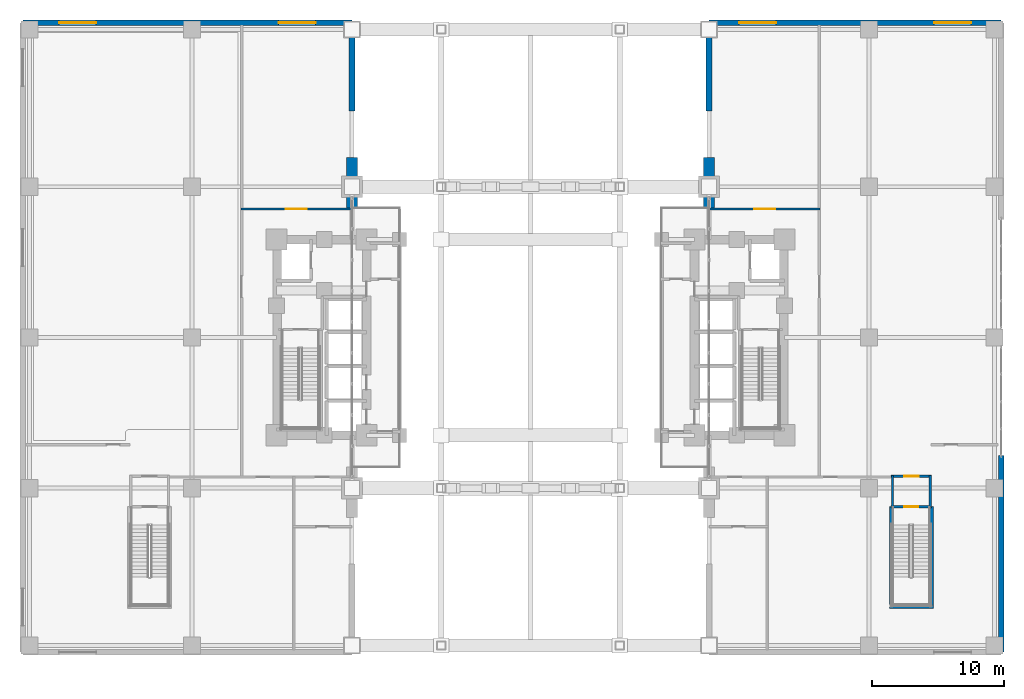
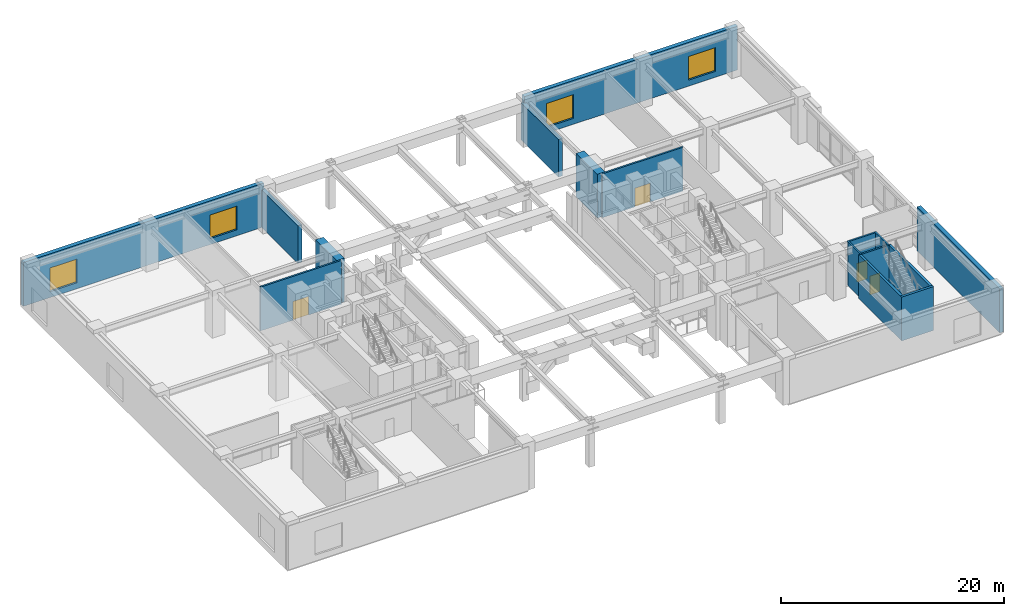
# One storey, part 20 of 26: 16 walls, 4 doors, 4 windows, 8 openings.
"""IFC4 building model written with IfcOpenShell, lengths in metres."""

from ifc_helpers import new_model, si_unit, direction, frame, frame_2d, origin, place, context, subcontext, project, spatial, rectangle, extrude, material, layer, layer_set, type_object, element, fill, save


model = new_model("IFC4")

# Units and contexts
model_context = context("Model", 3, precision=1e-05, world=origin(), true_north=direction((0.0, 1.0)))
body_context = subcontext(model_context, "Body", "Model", "MODEL_VIEW")
ifc_project = project(units=[si_unit("LENGTHUNIT", "METRE"), si_unit("AREAUNIT", "SQUARE_METRE"), si_unit("VOLUMEUNIT", "CUBIC_METRE"), si_unit("PLANEANGLEUNIT", "RADIAN"), si_unit("MASSUNIT", "GRAM", prefix="KILO")], contexts=[model_context])

# Site, building, storey
site_placement = place(None, origin())
site = spatial("IfcSite", under=ifc_project, at=site_placement, CompositionType="ELEMENT")
building_placement = place(site_placement, origin())
building = spatial("IfcBuilding", under=site, at=building_placement, Name="Voryun Gate Residences", CompositionType="ELEMENT")
storey_placement = place(building_placement, frame((0.0, 0.0, 15.60009765625)))
storey = spatial("IfcBuildingStorey", under=building, at=storey_placement, Name="L03", CompositionType="ELEMENT", Elevation=15.60009765625)

# Walls
ifc_material_1 = material(Name="Concrete C60/75", Category="concrete")
ifc_layer_1 = layer(ifc_material_1, 0.800048828125, Name="W_ARCH_PIER_800")
ifc_layer_set_1 = layer_set([ifc_layer_1], Name="Concrete C60/75")
wall_type_1 = type_object("IfcWallType", Name="W_ARCH_PIER_800", PredefinedType="SOLIDWALL", material=ifc_layer_set_1)
for number, where, z_axis, x_axis, name in (
    (1, (-13.5, 9.800048828125, 0.0), (0.0, 0.0, 1.0), (0.0, 1.0, 0.0), "L03 Parabolic arch pier wall WN"),
    (2, (13.5, 9.800048828125, 0.0), (0.0, 0.0, 1.0), (0.0, 1.0, 0.0), "L03 Parabolic arch pier wall EN"),
):
    element("IfcWall", number, at=place(storey_placement, frame(where, z_axis=z_axis, x_axis=x_axis)), inside=storey, type_object=wall_type_1, Name=name, PredefinedType="SOLIDWALL", context=body_context, shape_type="SweptSolid", body=[
        extrude(rectangle(XDim=3.800048828125, YDim=0.800048828125, at=frame_2d((1.89990234375, 0.0))), origin(), (0.0, 0.0, 1.0), 4.7998046875),
    ])
ifc_material_2 = material(Name="Gypsum acoustic fireboard")
ifc_layer_2 = layer(ifc_material_2, 0.179931640625, Name="W_CORR_RATED_180")
ifc_layer_set_2 = layer_set([ifc_layer_2], Name="Gypsum acoustic fireboard")
wall_type_2 = type_object("IfcWallType", Name="W_CORR_RATED_180", PredefinedType="PARTITIONING", material=ifc_layer_set_2)
for number, where, z_axis, x_axis, name in (
    (3, (27.3798828125, -12.800048828125, 0.0), (0.0, 0.0, 1.0), (0.0, 1.0, 0.0), "Partition wall WP-L03-ST-P2-VW"),
    (4, (30.219970703125, -12.800048828125, 0.0), (0.0, 0.0, 1.0), (0.0, 1.0, 0.0), "Partition wall WP-L03-ST-P2-VE"),
):
    element("IfcWall", number, at=place(storey_placement, frame(where, z_axis=z_axis, x_axis=x_axis)), inside=storey, type_object=wall_type_2, Name=name, PredefinedType="PARTITIONING", context=body_context, shape_type="SweptSolid", body=[
        extrude(rectangle(XDim=2.35009765625, YDim=0.179931640625, at=frame_2d((1.175048828125, 0.0))), origin(), (0.0, 0.0, 1.0), 4.7998046875),
    ])

# Wall, opening, door
wall_1_placement = place(storey_placement, frame((27.280029296875, -12.800048828125, 0.0), z_axis=(0.0, 0.0, 1.0), x_axis=(1.0, 0.0, 0.0)))
wall_1 = element("IfcWall", 5, at=wall_1_placement, inside=storey, type_object=wall_type_2, Name="Partition wall WP-L03-ST-P2-MID", PredefinedType="PARTITIONING", context=body_context, shape_type="SweptSolid", body=[
    extrude(rectangle(XDim=3.0400390625, YDim=0.179931640625, at=frame_2d((1.52001953125, 0.0))), origin(), (0.0, 0.0, 1.0), 4.7998046875),
])
opening_1_placement = place(wall_1_placement, frame((0.9951171875, 0.0, 0.0)))
opening_1 = element("IfcOpeningElement", 6, at=opening_1_placement, cuts=wall_1, Name="Opening D-FD60-1", PredefinedType="OPENING", context=body_context, shape_type="SweptSolid", body=[
    extrude(rectangle(XDim=1.050048828125, YDim=2.050048828125, at=frame_2d((0.52490234375, 1.02490234375))), frame((0.0, 0.099853515625, 0.0), z_axis=(0.0, -1.0, 0.0), x_axis=(1.0, 0.0, 0.0)), (0.0, 0.0, 1.0), 0.199951171875),
])
ifc_material_3 = material(Name="Painted steel fire door", Category="steel")
door_type_1 = type_object("IfcDoorType", Name="DR_FD60_STAIR_1050", OperationType="NOTDEFINED", PredefinedType="DOOR", material=ifc_material_3)
door_1_placement = place(opening_1_placement, origin())
door_1 = element("IfcDoor", 7, at=door_1_placement, inside=storey, type_object=door_type_1, Name="Door DR-L03-ST-P2-IN", OperationType="SINGLE_SWING_LEFT", OverallHeight=2.050048828125, OverallWidth=1.050048828125, PredefinedType="DOOR", context=body_context, shape_type="SweptSolid", body=[
    extrude(rectangle(XDim=1.050048828125, YDim=2.050048828125, at=frame_2d((0.52490234375, 1.02490234375))), frame((0.0, 0.02490234375, 0.0), z_axis=(0.0, -1.0, 0.0), x_axis=(1.0, 0.0, 0.0)), (0.0, 0.0, 1.0), 0.050048828125),
])
fill(opening_1, door_1)

wall_2_placement = place(storey_placement, frame((27.280029296875, -10.5, 0.0), z_axis=(0.0, 0.0, 1.0), x_axis=(1.0, 0.0, 0.0)))
wall_2 = element("IfcWall", 8, at=wall_2_placement, inside=storey, type_object=wall_type_2, Name="Partition wall WP-L03-ST-P2-N", PredefinedType="PARTITIONING", context=body_context, shape_type="SweptSolid", body=[
    extrude(rectangle(XDim=3.0400390625, YDim=0.179931640625, at=frame_2d((1.52001953125, 0.0))), origin(), (0.0, 0.0, 1.0), 4.7998046875),
])
opening_2_placement = place(wall_2_placement, frame((0.969970703125, 0.0, 0.0)))
opening_2 = element("IfcOpeningElement", 9, at=opening_2_placement, cuts=wall_2, Name="Opening D-FD60-2", PredefinedType="OPENING", context=body_context, shape_type="SweptSolid", body=[
    extrude(rectangle(XDim=1.10009765625, YDim=2.050048828125, at=frame_2d((0.550048828125, 1.02490234375))), frame((0.0, 0.099853515625, 0.0), z_axis=(0.0, -1.0, 0.0), x_axis=(1.0, 0.0, 0.0)), (0.0, 0.0, 1.0), 0.199951171875),
])
ifc_material_4 = material(Name="Painted steel fire door", Category="steel")
door_type_2 = type_object("IfcDoorType", Name="DR_FD60_FFLOB_1100", OperationType="NOTDEFINED", PredefinedType="DOOR", material=ifc_material_4)
door_2_placement = place(opening_2_placement, origin())
door_2 = element("IfcDoor", 10, at=door_2_placement, inside=storey, type_object=door_type_2, Name="Door DR-L03-ST-P2-OUT", OperationType="SINGLE_SWING_RIGHT", OverallHeight=2.050048828125, OverallWidth=1.10009765625, PredefinedType="DOOR", context=body_context, shape_type="SweptSolid", body=[
    extrude(rectangle(XDim=1.10009765625, YDim=2.050048828125, at=frame_2d((0.550048828125, 1.02490234375))), frame((0.0, 0.02490234375, 0.0), z_axis=(0.0, -1.0, 0.0), x_axis=(1.0, 0.0, 0.0)), (0.0, 0.0, 1.0), 0.050048828125),
])
fill(opening_2, door_2)

wall_3_placement = place(storey_placement, frame((-21.89990234375, 9.719970703125, 0.0), z_axis=(0.0, 0.0, 1.0), x_axis=(1.0, 0.0, 0.0)))
wall_3 = element("IfcWall", 11, at=wall_3_placement, inside=storey, type_object=wall_type_2, Name="Partition wall WP-L03-WCN1", PredefinedType="PARTITIONING", context=body_context, shape_type="SweptSolid", body=[
    extrude(rectangle(XDim=8.3798828125, YDim=0.179931640625, at=frame_2d((4.18994140625, 0.0))), origin(), (0.0, 0.0, 1.0), 4.7998046875),
])
opening_3_placement = place(wall_3_placement, frame((3.389892578125, 0.0, 0.0)))
opening_3 = element("IfcOpeningElement", 12, at=opening_3_placement, cuts=wall_3, Name="Opening D-FD30-1", PredefinedType="OPENING", context=body_context, shape_type="SweptSolid", body=[
    extrude(rectangle(XDim=1.60009765625, YDim=2.050048828125, at=frame_2d((0.800048828125, 1.02490234375))), frame((0.0, 0.099853515625, 0.0), z_axis=(0.0, -1.0, 0.0), x_axis=(1.0, 0.0, 0.0)), (0.0, 0.0, 1.0), 0.199951171875),
])
ifc_material_5 = material(Name="Glazed aluminium fire door", Category="aluminium")
door_type_3 = type_object("IfcDoorType", Name="DR_CORR_SMOKE_1600", OperationType="NOTDEFINED", PredefinedType="DOOR", material=ifc_material_5)
door_3_placement = place(opening_3_placement, origin())
door_3 = element("IfcDoor", 13, at=door_3_placement, inside=storey, type_object=door_type_3, Name="Door DR-L03-WD3", OperationType="DOUBLE_DOOR_SINGLE_SWING", OverallHeight=2.050048828125, OverallWidth=1.60009765625, PredefinedType="DOOR", context=body_context, shape_type="SweptSolid", body=[
    extrude(rectangle(XDim=1.60009765625, YDim=2.050048828125, at=frame_2d((0.800048828125, 1.02490234375))), frame((0.0, 0.02490234375, 0.0), z_axis=(0.0, -1.0, 0.0), x_axis=(1.0, 0.0, 0.0)), (0.0, 0.0, 1.0), 0.050048828125),
])
fill(opening_3, door_3)

wall_4_placement = place(storey_placement, frame((13.52001953125, 9.719970703125, 0.0), z_axis=(0.0, 0.0, 1.0), x_axis=(1.0, 0.0, 0.0)))
wall_4 = element("IfcWall", 14, at=wall_4_placement, inside=storey, type_object=wall_type_2, Name="Partition wall WP-L03-ECN1", PredefinedType="PARTITIONING", context=body_context, shape_type="SweptSolid", body=[
    extrude(rectangle(XDim=8.3798828125, YDim=0.179931640625, at=frame_2d((4.18994140625, 0.0))), origin(), (0.0, 0.0, 1.0), 4.7998046875),
])
opening_4_placement = place(wall_4_placement, frame((3.389892578125, 0.0, 0.0)))
opening_4 = element("IfcOpeningElement", 15, at=opening_4_placement, cuts=wall_4, Name="Opening D-FD30-1", PredefinedType="OPENING", context=body_context, shape_type="SweptSolid", body=[
    extrude(rectangle(XDim=1.60009765625, YDim=2.050048828125, at=frame_2d((0.800048828125, 1.02490234375))), frame((0.0, 0.099853515625, 0.0), z_axis=(0.0, -1.0, 0.0), x_axis=(1.0, 0.0, 0.0)), (0.0, 0.0, 1.0), 0.199951171875),
])
door_4_placement = place(opening_4_placement, origin())
door_4 = element("IfcDoor", 16, at=door_4_placement, inside=storey, type_object=door_type_3, Name="Door DR-L03-ED2", OperationType="DOUBLE_DOOR_SINGLE_SWING", OverallHeight=2.050048828125, OverallWidth=1.60009765625, PredefinedType="DOOR", context=body_context, shape_type="SweptSolid", body=[
    extrude(rectangle(XDim=1.60009765625, YDim=2.050048828125, at=frame_2d((0.800048828125, 1.02490234375))), frame((0.0, 0.02490234375, 0.0), z_axis=(0.0, -1.0, 0.0), x_axis=(1.0, 0.0, 0.0)), (0.0, 0.0, 1.0), 0.050048828125),
])
fill(opening_4, door_4)

# Wall
ifc_material_6 = material(Name="Granite masonry", Category="masonry")
ifc_layer_3 = layer(ifc_material_6, 0.419921875, Name="W_EXT_PODIUM_420")
ifc_layer_set_3 = layer_set([ifc_layer_3], Name="Granite masonry")
wall_type_3 = type_object("IfcWallType", Name="W_EXT_PODIUM_420", PredefinedType="ELEMENTEDWALL", material=ifc_layer_set_3)
wall_5_placement = place(storey_placement, frame((-13.5, 17.1201171875, 0.0), z_axis=(0.0, 0.0, 1.0), x_axis=(0.0, 1.0, 0.0)))
element("IfcWall", 17, at=wall_5_placement, inside=storey, type_object=wall_type_3, Name="Exterior wall WEP-L03-WP-2B", PredefinedType="ELEMENTEDWALL", context=body_context, shape_type="SweptSolid", body=[
    extrude(rectangle(XDim=6.679931640625, YDim=0.419921875, at=frame_2d((3.33984375, 0.0))), origin(), (0.0, 0.0, 1.0), 4.08984375),
])

# Wall, openings, windows
wall_6_placement = place(storey_placement, frame((-13.5, 23.800048828125, 0.0), z_axis=(0.0, 0.0, 1.0), x_axis=(-1.0, 0.0, 0.0)))
wall_6 = element("IfcWall", 18, at=wall_6_placement, inside=storey, type_object=wall_type_3, Name="Exterior wall WEP-L03-WP-3", PredefinedType="ELEMENTEDWALL", context=body_context, shape_type="SweptSolid", body=[
    extrude(rectangle(XDim=24.89990234375, YDim=0.419921875, at=frame_2d((12.449951171875, 0.0))), origin(), (0.0, 0.0, 1.0), 4.7998046875),
])
opening_5_placement = place(wall_6_placement, frame((2.75, 0.0, 0.64990234375)))
opening_5 = element("IfcOpeningElement", 19, at=opening_5_placement, cuts=wall_6, Name="Opening WN5", PredefinedType="OPENING", context=body_context, shape_type="SweptSolid", body=[
    extrude(rectangle(XDim=2.800048828125, YDim=2.60009765625, at=frame_2d((1.39990234375, 1.300048828125))), frame((0.0, 0.219970703125, 0.0), z_axis=(0.0, -1.0, 0.0), x_axis=(1.0, 0.0, 0.0)), (0.0, 0.0, 1.0), 0.43994140625),
])
opening_6_placement = place(wall_6_placement, frame((19.35009765625, 0.0, 0.64990234375)))
opening_6 = element("IfcOpeningElement", 20, at=opening_6_placement, cuts=wall_6, Name="Opening WN5", PredefinedType="OPENING", context=body_context, shape_type="SweptSolid", body=[
    extrude(rectangle(XDim=2.800048828125, YDim=2.60009765625, at=frame_2d((1.39990234375, 1.300048828125))), frame((0.0, 0.219970703125, 0.0), z_axis=(0.0, -1.0, 0.0), x_axis=(1.0, 0.0, 0.0)), (0.0, 0.0, 1.0), 0.43994140625),
])
ifc_material_7 = material(Name="Laminated low-E glass", Category="glass")
window_type = type_object("IfcWindowType", Name="WN_POD_GALLERY_2800", PartitioningType="SINGLE_PANEL", PredefinedType="WINDOW", material=ifc_material_7)
window_1_placement = place(opening_5_placement, origin())
window_1 = element("IfcWindow", 21, at=window_1_placement, inside=storey, type_object=window_type, Name="Window WN-L03-WP-3-01", OverallHeight=2.60009765625, OverallWidth=2.800048828125, PartitioningType="SINGLE_PANEL", PredefinedType="WINDOW", context=body_context, shape_type="SweptSolid", body=[
    extrude(rectangle(XDim=2.800048828125, YDim=2.60009765625, at=frame_2d((1.39990234375, 1.300048828125))), frame((0.0, 0.030029296875, 0.0), z_axis=(0.0, -1.0, 0.0), x_axis=(1.0, 0.0, 0.0)), (0.0, 0.0, 1.0), 0.06005859375),
])
fill(opening_5, window_1)
window_2_placement = place(opening_6_placement, origin())
window_2 = element("IfcWindow", 22, at=window_2_placement, inside=storey, type_object=window_type, Name="Window WN-L03-WP-3-03", OverallHeight=2.60009765625, OverallWidth=2.800048828125, PartitioningType="SINGLE_PANEL", PredefinedType="WINDOW", context=body_context, shape_type="SweptSolid", body=[
    extrude(rectangle(XDim=2.800048828125, YDim=2.60009765625, at=frame_2d((1.39990234375, 1.300048828125))), frame((0.0, 0.030029296875, 0.0), z_axis=(0.0, -1.0, 0.0), x_axis=(1.0, 0.0, 0.0)), (0.0, 0.0, 1.0), 0.06005859375),
])
fill(opening_6, window_2)

# Wall
wall_7_placement = place(storey_placement, frame((35.60009765625, -23.800048828125, 0.0), z_axis=(0.0, 0.0, 1.0), x_axis=(0.0, 1.0, 0.0)))
element("IfcWall", 23, at=wall_7_placement, inside=storey, type_object=wall_type_3, Name="Exterior wall WEP-L03-EP-2A", PredefinedType="ELEMENTEDWALL", context=body_context, shape_type="SweptSolid", body=[
    extrude(rectangle(XDim=14.880126953125, YDim=0.419921875, at=frame_2d((7.43994140625, 0.0))), origin(), (0.0, 0.0, 1.0), 4.7998046875),
])

# Wall, openings, windows
wall_8_placement = place(storey_placement, frame((35.60009765625, 23.800048828125, 0.0), z_axis=(0.0, 0.0, 1.0), x_axis=(-1.0, 0.0, 0.0)))
wall_8 = element("IfcWall", 24, at=wall_8_placement, inside=storey, type_object=wall_type_3, Name="Exterior wall WEP-L03-EP-3", PredefinedType="ELEMENTEDWALL", context=body_context, shape_type="SweptSolid", body=[
    extrude(rectangle(XDim=22.10009765625, YDim=0.419921875, at=frame_2d((11.050048828125, 0.0))), origin(), (0.0, 0.0, 1.0), 4.7998046875),
])
opening_7_placement = place(wall_8_placement, frame((2.282958984375, 0.0, 0.64990234375)))
opening_7 = element("IfcOpeningElement", 25, at=opening_7_placement, cuts=wall_8, Name="Opening WN5", PredefinedType="OPENING", context=body_context, shape_type="SweptSolid", body=[
    extrude(rectangle(XDim=2.800048828125, YDim=2.60009765625, at=frame_2d((1.39990234375, 1.300048828125))), frame((0.0, 0.219970703125, 0.0), z_axis=(0.0, -1.0, 0.0), x_axis=(1.0, 0.0, 0.0)), (0.0, 0.0, 1.0), 0.43994140625),
])
opening_8_placement = place(wall_8_placement, frame((17.01708984375, 0.0, 0.64990234375)))
opening_8 = element("IfcOpeningElement", 26, at=opening_8_placement, cuts=wall_8, Name="Opening WN5", PredefinedType="OPENING", context=body_context, shape_type="SweptSolid", body=[
    extrude(rectangle(XDim=2.800048828125, YDim=2.60009765625, at=frame_2d((1.39990234375, 1.300048828125))), frame((0.0, 0.219970703125, 0.0), z_axis=(0.0, -1.0, 0.0), x_axis=(1.0, 0.0, 0.0)), (0.0, 0.0, 1.0), 0.43994140625),
])
window_3_placement = place(opening_7_placement, origin())
window_3 = element("IfcWindow", 27, at=window_3_placement, inside=storey, type_object=window_type, Name="Window WN-L03-EP-3-01", OverallHeight=2.60009765625, OverallWidth=2.800048828125, PartitioningType="SINGLE_PANEL", PredefinedType="WINDOW", context=body_context, shape_type="SweptSolid", body=[
    extrude(rectangle(XDim=2.800048828125, YDim=2.60009765625, at=frame_2d((1.39990234375, 1.300048828125))), frame((0.0, 0.030029296875, 0.0), z_axis=(0.0, -1.0, 0.0), x_axis=(1.0, 0.0, 0.0)), (0.0, 0.0, 1.0), 0.06005859375),
])
fill(opening_7, window_3)
window_4_placement = place(opening_8_placement, origin())
window_4 = element("IfcWindow", 28, at=window_4_placement, inside=storey, type_object=window_type, Name="Window WN-L03-EP-3-03", OverallHeight=2.60009765625, OverallWidth=2.800048828125, PartitioningType="SINGLE_PANEL", PredefinedType="WINDOW", context=body_context, shape_type="SweptSolid", body=[
    extrude(rectangle(XDim=2.800048828125, YDim=2.60009765625, at=frame_2d((1.39990234375, 1.300048828125))), frame((0.0, 0.030029296875, 0.0), z_axis=(0.0, -1.0, 0.0), x_axis=(1.0, 0.0, 0.0)), (0.0, 0.0, 1.0), 0.06005859375),
])
fill(opening_8, window_4)

# Walls
wall_9_placement = place(storey_placement, frame((13.5, 17.1201171875, 0.0), z_axis=(0.0, 0.0, 1.0), x_axis=(0.0, 1.0, 0.0)))
element("IfcWall", 29, at=wall_9_placement, inside=storey, type_object=wall_type_3, Name="Exterior wall WEP-L03-EP-4B", PredefinedType="ELEMENTEDWALL", context=body_context, shape_type="SweptSolid", body=[
    extrude(rectangle(XDim=6.679931640625, YDim=0.419921875, at=frame_2d((3.33984375, 0.0))), origin(), (0.0, 0.0, 1.0), 4.08984375),
])
ifc_material_8 = material(Name="Concrete C50/60", Category="concrete")
ifc_layer_4 = layer(ifc_material_8, 0.25, Name="W_SHAFT_RC250")
ifc_layer_set_4 = layer_set([ifc_layer_4], Name="Concrete C50/60")
wall_type_4 = type_object("IfcWallType", Name="W_SHAFT_RC250", PredefinedType="SOLIDWALL", material=ifc_layer_set_4)
for number, where, z_axis, x_axis, name in (
    (30, (27.260009765625, -20.485107421875, 0.0), (0.0, 0.0, 1.0), (0.0, 1.0, 0.0), "L03 Podium stair structural wall STP2-W"),
    (31, (30.340087890625, -20.485107421875, 0.0), (0.0, 0.0, 1.0), (0.0, 1.0, 0.0), "L03 Podium stair structural wall STP2-E"),
):
    element("IfcWall", number, at=place(storey_placement, frame(where, z_axis=z_axis, x_axis=x_axis)), inside=storey, type_object=wall_type_4, Name=name, PredefinedType="SOLIDWALL", context=body_context, shape_type="SweptSolid", body=[
        extrude(rectangle(XDim=7.68505859375, YDim=0.25, at=frame_2d((3.842529296875, 0.0))), origin(), (0.0, 0.0, 1.0), 4.7998046875),
    ])
wall_10_placement = place(storey_placement, frame((27.139892578125, -20.364990234375, 0.0), z_axis=(0.0, 0.0, 1.0), x_axis=(1.0, 0.0, 0.0)))
element("IfcWall", 32, at=wall_10_placement, inside=storey, type_object=wall_type_4, Name="L03 Podium stair structural wall STP2-S", PredefinedType="SOLIDWALL", context=body_context, shape_type="SweptSolid", body=[
    extrude(rectangle(XDim=3.320068359375, YDim=0.25, at=frame_2d((1.66015625, 0.0))), origin(), (0.0, 0.0, 1.0), 4.7998046875),
])

save(model, "model.ifc")
